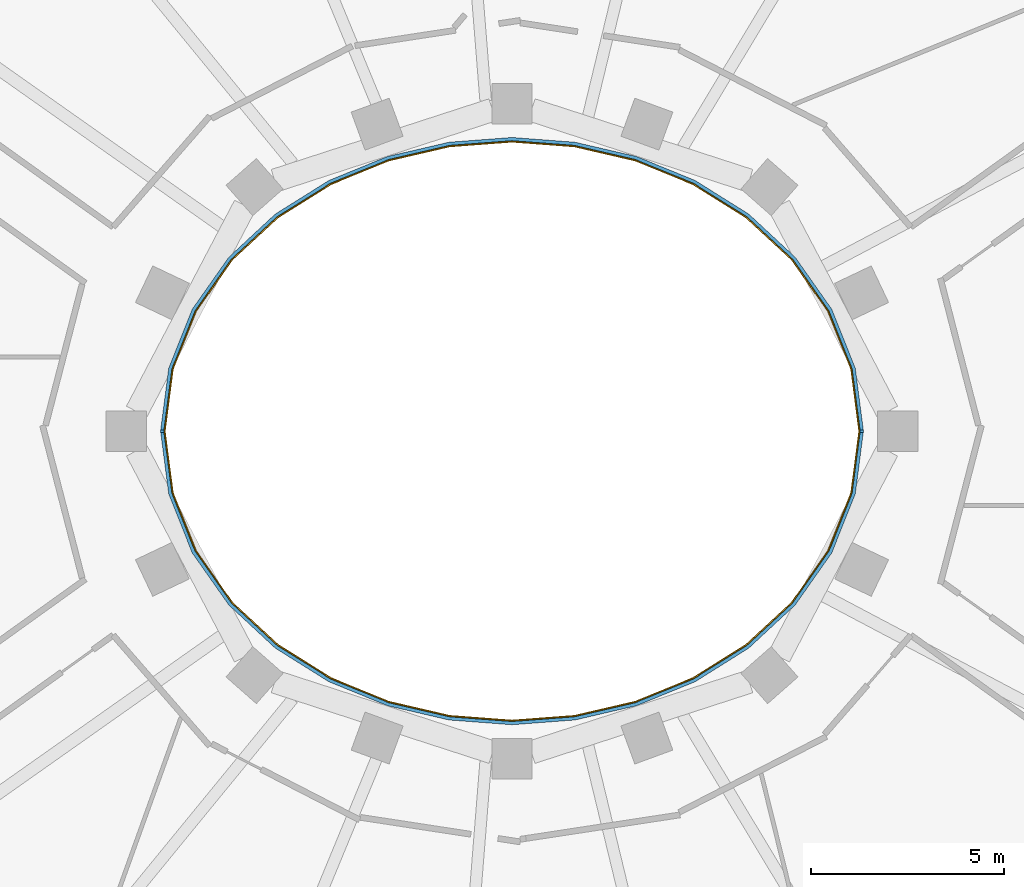
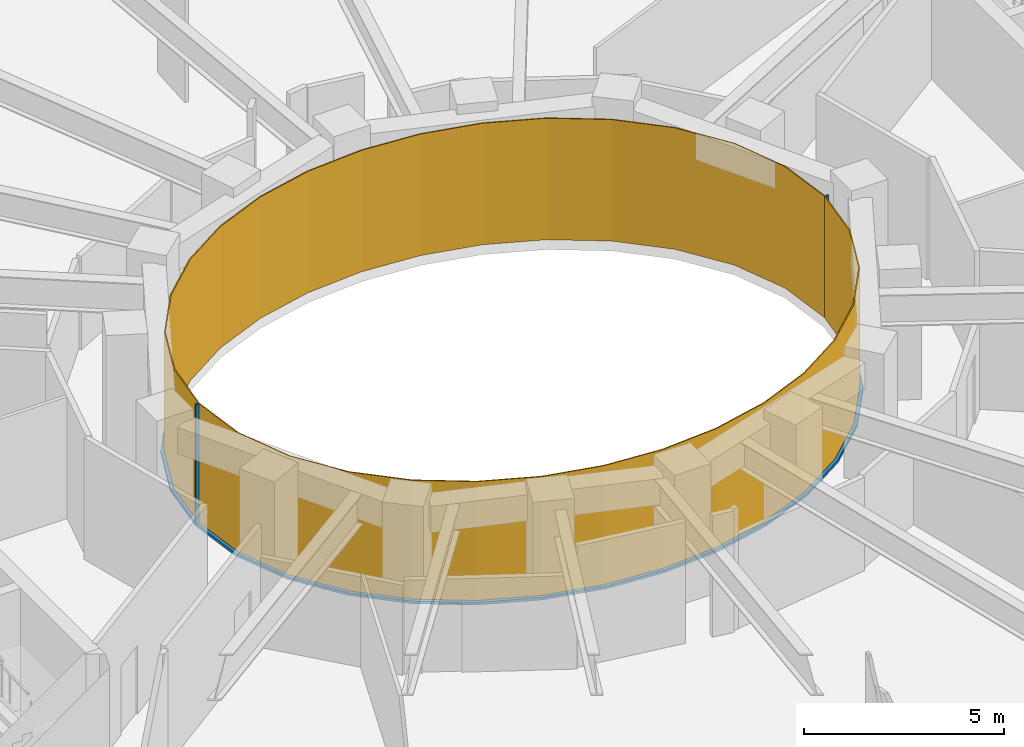
# One storey, part 10 of 15: 4 members, 2 curtain walls.
"""IFC4 building model written with IfcOpenShell, lengths in metres."""

from ifc_helpers import new_model, si_unit, direction, frame, origin, origin_2d, place, context, subcontext, project, spatial, polyline, rectangle, outline, extrude, material, layer, layer_set, material_profile, profile_set, type_object, element, aggregate, save


model = new_model("IFC4")

# Units and contexts
model_context = context("Model", 3, precision=1e-05, world=origin(), true_north=direction((0.0, 1.0)))
body_context = subcontext(model_context, "Body", "Model", "MODEL_VIEW")
ifc_project = project(units=[si_unit("LENGTHUNIT", "METRE"), si_unit("AREAUNIT", "SQUARE_METRE"), si_unit("VOLUMEUNIT", "CUBIC_METRE"), si_unit("PLANEANGLEUNIT", "RADIAN"), si_unit("MASSUNIT", "GRAM", prefix="KILO")], contexts=[model_context])

# Member
ifc_material_1 = material(Name="Steel S355 fire-resisting frame", Category="steel")
ifc_material_profile = material_profile(ifc_material_1, rectangle(XDim=0.090087890625, YDim=0.06005859375, at=origin_2d()), Name="90x60")
ifc_profile_set = profile_set([ifc_material_profile], Name="Steel S355 fire-resisting frame")
member_type_1 = type_object("IfcMemberType", Name="ENV-MULLION-W-90", PredefinedType="MULLION", material=ifc_profile_set)
site_placement = place(None, origin())
building_placement = place(site_placement, origin())
storey_placement = place(building_placement, frame((0.0, 0.0, 182.0)))
member_1_placement = place(storey_placement, frame((9.076904296875, 0.0, 0.0), z_axis=(0.0, 0.0, 1.0), x_axis=(1.0, 0.0, 0.0)))
member_1 = element("IfcMember", 1, at=member_1_placement, type_object=member_type_1, Name="Mullion W well vertex 01", PredefinedType="MULLION", context=body_context, shape_type="SweptSolid", body=[
    extrude(rectangle(XDim=0.090087890625, YDim=0.06005859375, at=origin_2d()), origin(), (0.0, 0.0, 1.0), 3.699951171875),
])

member_2_placement = place(storey_placement, frame((-9.076904296875, 0.0, 0.0), z_axis=(0.0, 0.0, 1.0), x_axis=(-1.0, 0.0, 0.0)))
member_2 = element("IfcMember", 2, at=member_2_placement, type_object=member_type_1, Name="Mullion W well vertex 17", PredefinedType="MULLION", context=body_context, shape_type="SweptSolid", body=[
    extrude(rectangle(XDim=0.090087890625, YDim=0.06005859375, at=origin_2d()), origin(), (0.0, 0.0, 1.0), 3.699951171875),
])

ifc_material_2 = material(Name="Steel S355 fire-resisting frame", Category="steel")
member_type_2 = type_object("IfcMemberType", Name="ENV-TRANSOM-W", PredefinedType="USERDEFINED", material=ifc_material_2)
member_3_placement = place(storey_placement, origin())
member_3 = element("IfcMember", 3, at=member_3_placement, type_object=member_type_2, Name="Transom W well 01-17", ObjectType="TRANSOM", PredefinedType="USERDEFINED", context=body_context, shape_type="SweptSolid", body=[
    extrude(outline(polyline([(9.119384765625, 0.02783203125), (8.910400390625, 1.63623046875), (8.29833984375, 3.167236328125), (7.35107421875, 4.5146484375), (6.1455078125, 5.6337890625), (4.75341796875, 6.50634765625), (3.233642578125, 7.127685546875), (1.635498046875, 7.498779296875), (0.0, 7.622314453125), (-1.635498046875, 7.498779296875), (-3.233642578125, 7.127685546875), (-4.75341796875, 6.50634765625), (-6.1455078125, 5.6337890625), (-7.35107421875, 4.5146484375), (-8.29833984375, 3.167236328125), (-8.910400390625, 1.63623046875), (-9.119384765625, 0.02783203125), (-9.02880859375, 0.02783203125), (-8.822509765625, 1.61328125), (-8.21875, 3.124267578125), (-7.282958984375, 4.455078125), (-6.090576171875, 5.56201171875), (-4.712158203125, 6.426025390625), (-3.206298828125, 7.04150390625), (-1.621826171875, 7.40966796875), (0.0, 7.531982421875), (1.621826171875, 7.40966796875), (3.206298828125, 7.04150390625), (4.712158203125, 6.426025390625), (6.090576171875, 5.56201171875), (7.282958984375, 4.455078125), (8.21875, 3.124267578125), (8.822509765625, 1.61328125), (9.02880859375, 0.02783203125), (9.119384765625, 0.02783203125)])), origin(), (0.0, 0.0, 1.0), 0.080078125),
])

member_4_placement = place(storey_placement, origin())
member_4 = element("IfcMember", 4, at=member_4_placement, type_object=member_type_2, Name="Transom W well 17-01", ObjectType="TRANSOM", PredefinedType="USERDEFINED", context=body_context, shape_type="SweptSolid", body=[
    extrude(outline(polyline([(-9.119384765625, -0.02783203125), (-8.910400390625, -1.63623046875), (-8.29833984375, -3.167236328125), (-7.35107421875, -4.5146484375), (-6.1455078125, -5.6337890625), (-4.75341796875, -6.50634765625), (-3.233642578125, -7.127685546875), (-1.635498046875, -7.498779296875), (0.0, -7.622314453125), (1.635498046875, -7.498779296875), (3.233642578125, -7.127685546875), (4.75341796875, -6.50634765625), (6.1455078125, -5.6337890625), (7.35107421875, -4.5146484375), (8.29833984375, -3.167236328125), (8.910400390625, -1.63623046875), (9.119384765625, -0.02783203125), (9.02880859375, -0.02783203125), (8.822509765625, -1.61328125), (8.21875, -3.124267578125), (7.282958984375, -4.455078125), (6.090576171875, -5.56201171875), (4.712158203125, -6.426025390625), (3.206298828125, -7.04150390625), (1.621826171875, -7.40966796875), (0.0, -7.531982421875), (-1.621826171875, -7.40966796875), (-3.206298828125, -7.04150390625), (-4.712158203125, -6.426025390625), (-6.090576171875, -5.56201171875), (-7.282958984375, -4.455078125), (-8.21875, -3.124267578125), (-8.822509765625, -1.61328125), (-9.02880859375, -0.02783203125), (-9.119384765625, -0.02783203125)])), origin(), (0.0, 0.0, 1.0), 0.080078125),
])

# Site, building, storey
site = spatial("IfcSite", under=ifc_project, at=site_placement, CompositionType="ELEMENT")
building = spatial("IfcBuilding", under=site, at=building_placement, Name="Noorbagh Ring Tower", CompositionType="ELEMENT")
storey = spatial("IfcBuildingStorey", under=building, at=storey_placement, Name="L42", CompositionType="ELEMENT", Elevation=182.0)

# Curtain wall
ifc_material_3 = material(Name="Glass fire-resisting E60 laminated", Category="glass")
ifc_layer = layer(ifc_material_3, 0.031982421875)
ifc_layer_set = layer_set([ifc_layer], Name="Glass fire-resisting E60 laminated")
curtain_wall_type = type_object("IfcCurtainWallType", Name="ENV-CW-W", PredefinedType="NOTDEFINED", material=ifc_layer_set)
curtain_wall_1_placement = place(storey_placement, origin())
curtain_wall_1 = element("IfcCurtainWall", 5, at=curtain_wall_1_placement, inside=storey, type_object=curtain_wall_type, Name="Curtain wall W W01", PredefinedType="NOTDEFINED", context=body_context, shape_type="SweptSolid", body=[
    extrude(outline(polyline([(9.0322265625, 0.0), (8.822509765625, 1.61328125), (8.21875, 3.124267578125), (7.282958984375, 4.455078125), (6.090576171875, 5.56201171875), (4.712158203125, 6.426025390625), (3.206298828125, 7.04150390625), (1.621826171875, 7.40966796875), (0.0, 7.531982421875), (-1.621826171875, 7.40966796875), (-3.206298828125, 7.04150390625), (-4.712158203125, 6.426025390625), (-6.090576171875, 5.56201171875), (-7.282958984375, 4.455078125), (-8.21875, 3.124267578125), (-8.822509765625, 1.61328125), (-9.0322265625, 0.0), (-9.0, 0.0), (-8.79150390625, 1.605224609375), (-8.1904296875, 3.10888671875), (-7.2587890625, 4.43408203125), (-6.071044921875, 5.53662109375), (-4.697509765625, 6.3974609375), (-3.196533203125, 7.010986328125), (-1.6171875, 7.3779296875), (0.0, 7.5), (1.6171875, 7.3779296875), (3.196533203125, 7.010986328125), (4.697509765625, 6.3974609375), (6.071044921875, 5.53662109375), (7.2587890625, 4.43408203125), (8.1904296875, 3.10888671875), (8.79150390625, 1.605224609375), (9.0, 0.0), (9.0322265625, 0.0)])), origin(), (0.0, 0.0, 1.0), 3.699951171875),
])

aggregate(curtain_wall_1, [member_1, member_2, member_3])

curtain_wall_2_placement = place(storey_placement, origin())
curtain_wall_2 = element("IfcCurtainWall", 6, at=curtain_wall_2_placement, inside=storey, type_object=curtain_wall_type, Name="Curtain wall W W17", PredefinedType="NOTDEFINED", context=body_context, shape_type="SweptSolid", body=[
    extrude(outline(polyline([(-9.0322265625, 0.0), (-8.822509765625, -1.61328125), (-8.21875, -3.124267578125), (-7.282958984375, -4.455078125), (-6.090576171875, -5.56201171875), (-4.712158203125, -6.426025390625), (-3.206298828125, -7.04150390625), (-1.621826171875, -7.40966796875), (0.0, -7.531982421875), (1.621826171875, -7.40966796875), (3.206298828125, -7.04150390625), (4.712158203125, -6.426025390625), (6.090576171875, -5.56201171875), (7.282958984375, -4.455078125), (8.21875, -3.124267578125), (8.822509765625, -1.61328125), (9.0322265625, 0.0), (9.0, 0.0), (8.79150390625, -1.605224609375), (8.1904296875, -3.10888671875), (7.2587890625, -4.43408203125), (6.071044921875, -5.53662109375), (4.697509765625, -6.3974609375), (3.196533203125, -7.010986328125), (1.6171875, -7.3779296875), (0.0, -7.5), (-1.6171875, -7.3779296875), (-3.196533203125, -7.010986328125), (-4.697509765625, -6.3974609375), (-6.071044921875, -5.53662109375), (-7.2587890625, -4.43408203125), (-8.1904296875, -3.10888671875), (-8.79150390625, -1.605224609375), (-9.0, 0.0), (-9.0322265625, 0.0)])), origin(), (0.0, 0.0, 1.0), 3.699951171875),
])

aggregate(curtain_wall_2, [member_4])

save(model, "model.ifc")
